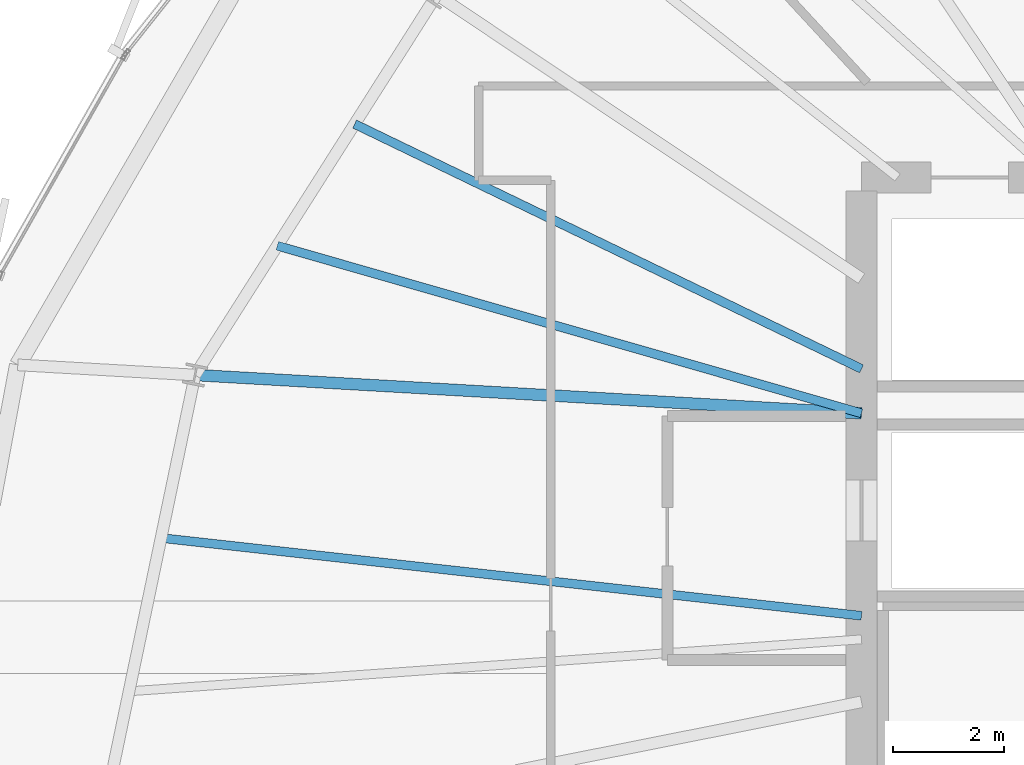
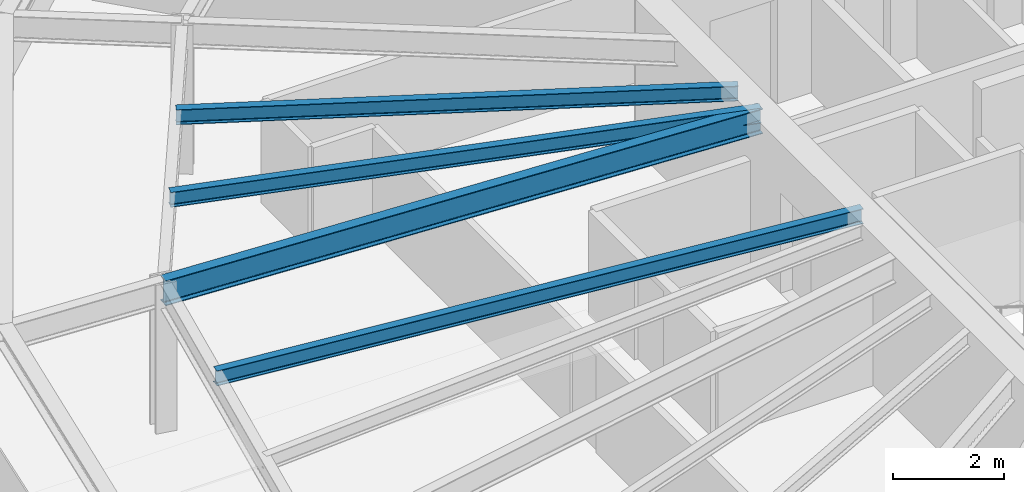
# One storey, part 11 of 32: 4 beams.
"""IFC4 building model written with IfcOpenShell, lengths in metres."""

from ifc_helpers import new_model, si_unit, direction, frame, origin, origin_2d, place, context, subcontext, project, spatial, i_section, extrude, source, transform, mapped, material, material_profile, profile_set, type_object, element, save


model = new_model("IFC4")

# Units and contexts
model_context = context("Model", 3, precision=1e-05, world=origin(), true_north=direction((0.0, 1.0)))
body_context = subcontext(model_context, "Body", "Model", "MODEL_VIEW")
ifc_project = project(units=[si_unit("LENGTHUNIT", "METRE"), si_unit("AREAUNIT", "SQUARE_METRE"), si_unit("VOLUMEUNIT", "CUBIC_METRE"), si_unit("PLANEANGLEUNIT", "RADIAN"), si_unit("MASSUNIT", "GRAM", prefix="KILO"), si_unit("THERMODYNAMICTEMPERATUREUNIT", "KELVIN")], contexts=[model_context])

# Site, building, storey
site_placement = place(None, origin())
site = spatial("IfcSite", under=ifc_project, at=site_placement, CompositionType="ELEMENT")
building_placement = place(site_placement, origin())
building = spatial("IfcBuilding", under=site, at=building_placement, Name="Kethvar Cultural Tower", CompositionType="ELEMENT")
storey_placement = place(building_placement, frame((0.0, 0.0, 157.199951171875)))
storey = spatial("IfcBuildingStorey", under=building, at=storey_placement, Name="L40", CompositionType="ELEMENT", Elevation=157.199951171875)

# Beams
ifc_material = material(Name="Steel S355J2", Category="steel")
ifc_material_profile_1 = material_profile(ifc_material, i_section(OverallWidth=0.2099609375, OverallDepth=0.550048828125, WebThickness=0.010986328125, FlangeThickness=0.01708984375, FilletRadius=0.02392578125, at=origin_2d()), Name="Steel S355J2 — IPE550")
ifc_profile_set_1 = profile_set([ifc_material_profile_1], Name="Steel S355J2 — IPE550")
beam_type_1 = type_object("IfcBeamType", Name="BM-IPE550", PredefinedType="BEAM", material=ifc_profile_set_1)
shared_shape_1 = source(origin(), body_context, "Body", "SweptSolid", [
    extrude(i_section(OverallWidth=0.2099609375, OverallDepth=0.550048828125, WebThickness=0.010986328125, FlangeThickness=0.01708984375, FilletRadius=0.02392578125, at=origin_2d()), origin(), (0.0, 0.0, 1.0), 12.03125),
])
beam_1_placement = place(storey_placement, frame((38.0, 31.25, 3.02294921875), z_axis=(-0.998355544741, 0.057325441856, 0.0), x_axis=(-0.057325441856, -0.998355544741, 0.0)))
element("IfcBeam", 1, at=beam_1_placement, inside=storey, type_object=beam_type_1, Name="L40 Primary Radial Beam RB-08", PredefinedType="BEAM", context=body_context, shape_type="MappedRepresentation", body=[
    mapped(shared_shape_1, transform((0.0, 0.0, 0.0), scale=1.0)),
])
ifc_material_profile_2 = material_profile(ifc_material, i_section(OverallWidth=0.159912109375, OverallDepth=0.330078125, WebThickness=0.007568359375, FlangeThickness=0.011474609375, FilletRadius=0.01806640625, at=origin_2d()), Name="Steel S355J2 — IPE330")
ifc_profile_set_2 = profile_set([ifc_material_profile_2], Name="Steel S355J2 — IPE330")
beam_type_2 = type_object("IfcBeamType", Name="BM-J330", PredefinedType="JOIST", material=ifc_profile_set_2)
shared_shape_2 = source(origin(), body_context, "Body", "SweptSolid", [
    extrude(i_section(OverallWidth=0.159912109375, OverallDepth=0.330078125, WebThickness=0.007568359375, FlangeThickness=0.011474609375, FilletRadius=0.01806640625, at=origin_2d()), origin(), (0.0, 0.0, 1.0), 10.1455078125),
])
beam_2_placement = place(storey_placement, frame((38.0, 32.05078125, 3.133056640625), z_axis=(-0.90045122575, 0.434956997927, 0.0), x_axis=(-0.434956997927, -0.90045122575, 0.0)))
element("IfcBeam", 2, at=beam_2_placement, inside=storey, type_object=beam_type_2, Name="L40 Composite Floor Joist J-07A", PredefinedType="JOIST", context=body_context, shape_type="MappedRepresentation", body=[
    mapped(shared_shape_2, transform((0.0, 0.0, 0.0), scale=1.0)),
])
shared_shape_3 = source(origin(), body_context, "Body", "SweptSolid", [
    extrude(i_section(OverallWidth=0.159912109375, OverallDepth=0.330078125, WebThickness=0.007568359375, FlangeThickness=0.011474609375, FilletRadius=0.01806640625, at=origin_2d()), origin(), (0.0, 0.0, 1.0), 10.95458984375),
])
beam_3_placement = place(storey_placement, frame((38.0, 31.25, 3.133056640625), z_axis=(-0.96124170623, 0.275707058676, 0.0), x_axis=(-0.275707058676, -0.96124170623, 0.0)))
element("IfcBeam", 3, at=beam_3_placement, inside=storey, type_object=beam_type_2, Name="L40 Composite Floor Joist J-07B", PredefinedType="JOIST", context=body_context, shape_type="MappedRepresentation", body=[
    mapped(shared_shape_3, transform((0.0, 0.0, 0.0), scale=1.0)),
])
shared_shape_4 = source(origin(), body_context, "Body", "SweptSolid", [
    extrude(i_section(OverallWidth=0.159912109375, OverallDepth=0.330078125, WebThickness=0.007568359375, FlangeThickness=0.011474609375, FilletRadius=0.01806640625, at=origin_2d()), origin(), (0.0, 0.0, 1.0), 12.7021484375),
])
beam_4_placement = place(storey_placement, frame((38.0, 27.60009765625, 3.133056640625), z_axis=(-0.993884906591, 0.110420978309, 0.0), x_axis=(-0.110420978309, -0.993884906591, 0.0)))
element("IfcBeam", 4, at=beam_4_placement, inside=storey, type_object=beam_type_2, Name="L40 Composite Floor Joist J-08A", PredefinedType="JOIST", context=body_context, shape_type="MappedRepresentation", body=[
    mapped(shared_shape_4, transform((0.0, 0.0, 0.0), scale=1.0)),
])

save(model, "model.ifc")
